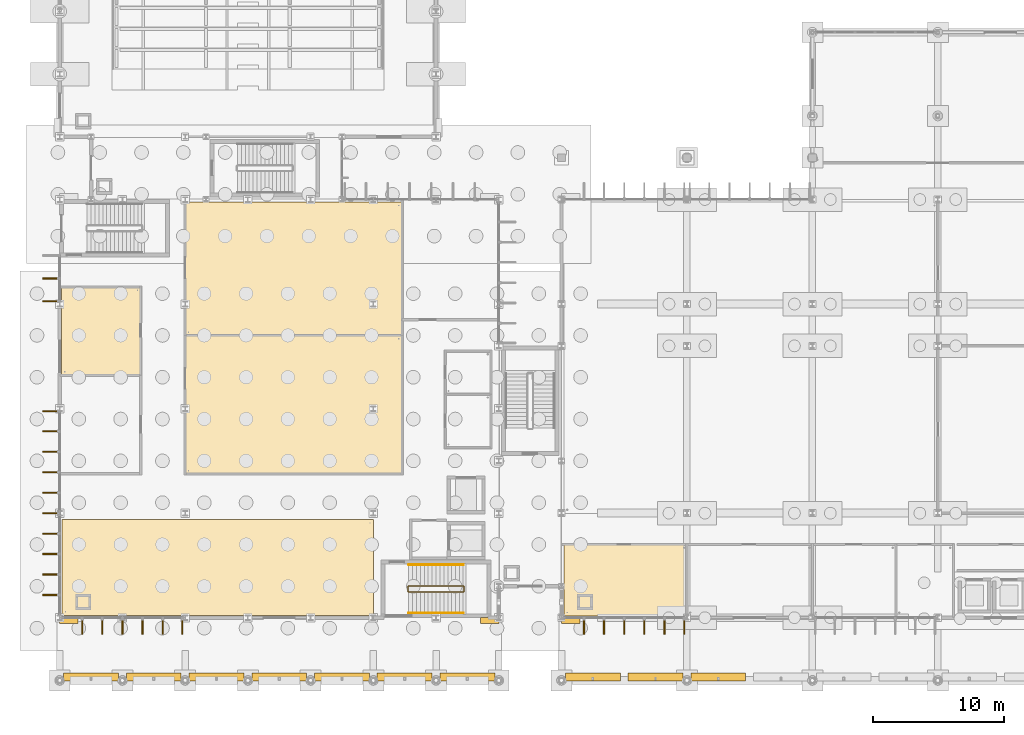
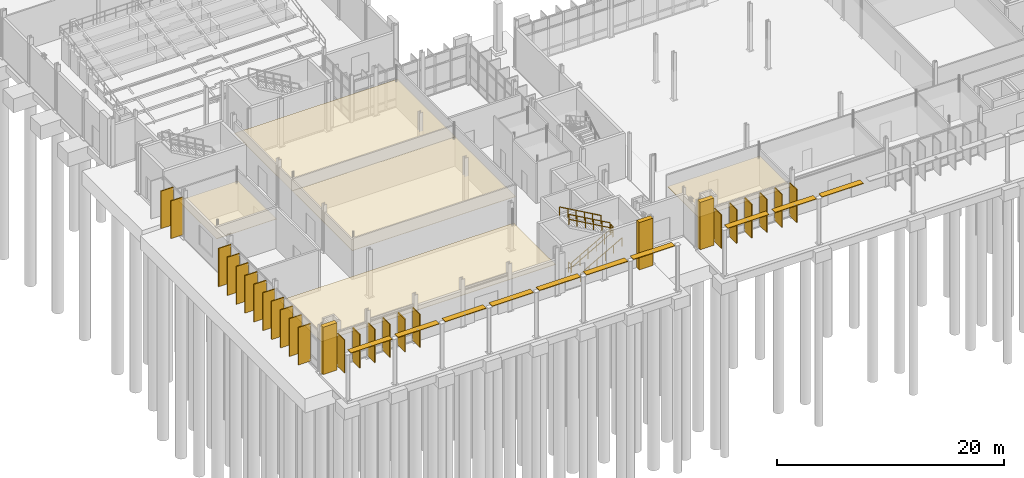
# One storey, part 102 of 111: 32 coverings, 10 shading devices, 6 railings.
"""IFC4 building model written with IfcOpenShell, lengths in metres."""

import ifcopenshell
import ifcopenshell.guid

model = None  # the IFC model being written
_history = None  # IfcOwnerHistory: only IFC2X3 demands one
_inside = {}  # id of a spatial element -> (the spatial element, [elements in it])
_under = {}  # id of a project, library or spatial element -> (it, [spatial elements below it])
_declared = {}  # id of a project -> (the project, [libraries it declares])
_typed = {}  # id of a type object -> (the type object, [elements of that type])
_made_of = {}  # id of a material, layer set ... -> (it, [elements and type objects made of it])


def new_model(schema):
    """Start an empty IFC model of exactly this schema.

    Asked for "IFC4X3", IfcOpenShell would pick the latest addendum, in which some entities
    have other attributes; the version numbers below select the first issue.
    IFC2X3 requires an IfcOwnerHistory on every rooted entity: one is made here for all.
    """
    global model, _history
    if schema == "IFC4X3":
        model = ifcopenshell.file(schema_version=(4, 3, 0, 0))
    else:
        model = ifcopenshell.file(schema=schema)
    _inside.clear()
    _under.clear()
    _declared.clear()
    _typed.clear()
    _made_of.clear()
    _history = None
    if model.schema == "IFC2X3":
        org = make("IfcOrganization", Name="unknown")
        user = make(
            "IfcPersonAndOrganization",
            ThePerson=make("IfcPerson", FamilyName="unknown"),
            TheOrganization=org,
        )
        app = make(
            "IfcApplication",
            ApplicationDeveloper=org,
            Version="unknown",
            ApplicationFullName="unknown",
            ApplicationIdentifier="unknown",
        )
        _history = make(
            "IfcOwnerHistory",
            OwningUser=user,
            OwningApplication=app,
            ChangeAction="ADDED",
            CreationDate=0,
        )
    return model


def make(cls, **values):
    """One entity of the class cls with the attributes given. An attribute that is None is left unset."""
    return model.create_entity(
        cls, **{name: value for name, value in values.items() if value is not None}
    )


def rooted(cls, **values):
    """An entity with a GlobalId (a new one), such as an element, a storey or a relation."""
    return make(cls, GlobalId=ifcopenshell.guid.new(), OwnerHistory=_history, **values)


def si_unit(unit_type, name, prefix=None):
    """IfcSIUnit, for example si_unit("LENGTHUNIT", "METRE", prefix="MILLI")."""
    return make("IfcSIUnit", UnitType=unit_type, Prefix=prefix, Name=name)


def assignment(units):
    """IfcUnitAssignment: the units of a project."""
    return None if units is None else make("IfcUnitAssignment", Units=units)


def point(xyz):
    """IfcCartesianPoint."""
    return None if xyz is None else make("IfcCartesianPoint", Coordinates=xyz)


def direction(xyz):
    """IfcDirection."""
    return None if xyz is None else make("IfcDirection", DirectionRatios=xyz)


def frame(location, z_axis=None, x_axis=None):
    """IfcAxis2Placement3D, a coordinate frame: its origin and axes. An axis left out is left unset."""
    return make(
        "IfcAxis2Placement3D",
        Location=point(location),
        Axis=direction(z_axis),
        RefDirection=direction(x_axis),
    )


def frame_2d(location, x_axis=None):
    """IfcAxis2Placement2D, a coordinate frame in the plane: its origin and x axis."""
    return make(
        "IfcAxis2Placement2D", Location=point(location), RefDirection=direction(x_axis)
    )


def origin():
    """The frame at (0, 0, 0) with its axes left unset."""
    return frame((0.0, 0.0, 0.0))


def origin_2d():
    """The frame at (0, 0) in the plane with its x axis left unset."""
    return frame_2d((0.0, 0.0))


def place(relative_to, where):
    """IfcLocalPlacement: puts the frame where relative to a parent placement (None: the world)."""
    return make(
        "IfcLocalPlacement", PlacementRelTo=relative_to, RelativePlacement=where
    )


def context(
    kind, dimensions, precision=None, world=None, true_north=None, identifier=None
):
    """IfcGeometricRepresentationContext, for example the 3D "Model" context."""
    return make(
        "IfcGeometricRepresentationContext",
        ContextIdentifier=identifier,
        ContextType=kind,
        CoordinateSpaceDimension=dimensions,
        Precision=precision,
        WorldCoordinateSystem=world,
        TrueNorth=true_north,
    )


def subcontext(parent, identifier, kind, view, scale=None):
    """IfcGeometricRepresentationSubContext, for example "Body" below "Model"."""
    return make(
        "IfcGeometricRepresentationSubContext",
        ContextIdentifier=identifier,
        ContextType=kind,
        ParentContext=parent,
        TargetScale=scale,
        TargetView=view,
    )


def project(units=None, contexts=None):
    """IfcProject with its units and contexts."""
    return rooted(
        "IfcProject",
        Name="project",
        RepresentationContexts=contexts,
        UnitsInContext=assignment(units),
    )


def spatial(cls, under=None, at=None, **own):
    """A site, building, storey or space (cls), placed at a placement, below another one or the project."""
    s = rooted(cls, ObjectPlacement=at, **own)
    if under is not None:
        _under.setdefault(under.id(), (under, []))[1].append(s)
    return s


def polyline(points):
    """IfcPolyline through the points."""
    return make("IfcPolyline", Points=[point(p) for p in points])


def profile(cls, at=None, kind="AREA", **sizes):
    """A parametric profile (cls). Its sizes go by their IFC names, for example OverallWidth=200.0."""
    return make(cls, ProfileType=kind, Position=at, **sizes)


def rectangle(**sizes):
    """IfcRectangleProfileDef."""
    return profile("IfcRectangleProfileDef", **sizes)


def circle(**sizes):
    """IfcCircleProfileDef."""
    return profile("IfcCircleProfileDef", **sizes)


def outline(outer, holes=None, kind="AREA"):
    """IfcArbitraryClosedProfileDef: a profile drawn as a closed curve; with holes, ...WithVoids."""
    if holes is None:
        return make("IfcArbitraryClosedProfileDef", ProfileType=kind, OuterCurve=outer)
    return make(
        "IfcArbitraryProfileDefWithVoids",
        ProfileType=kind,
        OuterCurve=outer,
        InnerCurves=holes,
    )


def extrude(swept, where, along, depth):
    """IfcExtrudedAreaSolid: the profile swept, set in the frame where, extruded along a direction by depth."""
    return make(
        "IfcExtrudedAreaSolid",
        SweptArea=swept,
        Position=where,
        ExtrudedDirection=direction(along),
        Depth=depth,
    )


def shape(context_of_items, identifier, shape_type, items):
    """IfcShapeRepresentation: the items that make up one representation, for example the "Body"."""
    return make(
        "IfcShapeRepresentation",
        ContextOfItems=context_of_items,
        RepresentationIdentifier=identifier,
        RepresentationType=shape_type,
        Items=items,
    )


def material(Name=None, Category=None):
    """IfcMaterial."""
    return make("IfcMaterial", Name=Name, Category=Category)


def layer(
    of_material, thickness, ventilated=None, Name=None, Category=None, Priority=None
):
    """IfcMaterialLayer: one layer of a wall or slab, of a material (None: an air gap)."""
    return make(
        "IfcMaterialLayer",
        Material=of_material,
        LayerThickness=thickness,
        IsVentilated=ventilated,
        Name=Name,
        Category=Category,
        Priority=Priority,
    )


def layer_set(layers, Name=None):
    """IfcMaterialLayerSet."""
    return make("IfcMaterialLayerSet", MaterialLayers=layers, LayerSetName=Name)


def made_of(thing, what):
    """Note that an element or type object is made of a material, layer set ...; save() writes the relation."""
    if what is not None:
        _made_of.setdefault(what.id(), (what, []))[1].append(thing)
    return thing


def type_object(cls, material=None, **own):
    """A type object (cls), such as IfcWallType, which elements share."""
    return made_of(rooted(cls, **own), material)


def element(
    cls,
    number,
    at=None,
    inside=None,
    cuts=None,
    type_object=None,
    material=None,
    context=None,
    identifier="Body",
    shape_type=None,
    held_by="IfcProductDefinitionShape",
    body=None,
    shapes=None,
    **own,
):
    """One element of the class cls, such as IfcWall. Its Tag is "e" and its number.

    at: its placement. inside: the storey or other place that contains it. cuts: it is an
    opening in that element (IfcRelVoidsElement). A single representation is given by context,
    identifier, shape_type and body (its items); several are given by shapes. held_by: the class
    of the entity that holds the representations. save() writes the other relations.
    """
    e = rooted(cls, Tag="e%d" % number, ObjectPlacement=at, **own)
    if body is not None:
        shapes = [shape(context, identifier, shape_type, body)]
    if shapes is not None:
        e.Representation = make(held_by, Representations=shapes)
    if inside is not None:
        _inside.setdefault(inside.id(), (inside, []))[1].append(e)
    if cuts is not None:
        rooted(
            "IfcRelVoidsElement", RelatingBuildingElement=cuts, RelatedOpeningElement=e
        )
    if type_object is not None:
        _typed.setdefault(type_object.id(), (type_object, []))[1].append(e)
    return made_of(e, material)


def aggregate(whole, parts):
    """IfcRelAggregates: a whole, such as a stair, and the parts it consists of."""
    return rooted("IfcRelAggregates", RelatingObject=whole, RelatedObjects=parts)


def save(model, path):
    """Write the relations noted so far, then the file.

    IfcRelAggregates (storeys below a building ...), IfcRelContainedInSpatialStructure (elements
    in a storey), IfcRelDefinesByType, IfcRelAssociatesMaterial and IfcRelDeclares: one each for
    every whole, place, type object, material and project.
    """
    for whole, parts in _under.values():
        aggregate(whole, parts)
    for where, things in _inside.values():
        rooted(
            "IfcRelContainedInSpatialStructure",
            RelatedElements=things,
            RelatingStructure=where,
        )
    for kind, things in _typed.values():
        rooted("IfcRelDefinesByType", RelatedObjects=things, RelatingType=kind)
    for what, things in _made_of.values():
        rooted("IfcRelAssociatesMaterial", RelatedObjects=things, RelatingMaterial=what)
    for by, libraries in _declared.values():
        rooted("IfcRelDeclares", RelatingContext=by, RelatedDefinitions=libraries)
    model.write(path)


model = new_model("IFC4")

# Units and contexts
model_context = context("Model", 3, precision=1e-05, world=origin(), true_north=direction((0.0, 1.0)))
body_context = subcontext(model_context, "Body", "Model", "MODEL_VIEW")
ifc_project = project(units=[si_unit("LENGTHUNIT", "METRE"), si_unit("AREAUNIT", "SQUARE_METRE"), si_unit("VOLUMEUNIT", "CUBIC_METRE"), si_unit("PLANEANGLEUNIT", "RADIAN"), si_unit("MASSUNIT", "GRAM", prefix="KILO")], contexts=[model_context])

# Site, building, storey
site_placement = place(None, origin())
site = spatial("IfcSite", under=ifc_project, at=site_placement, CompositionType="ELEMENT")
building_placement = place(site_placement, origin())
building = spatial("IfcBuilding", under=site, at=building_placement, Name="Dunescarp Central Library", CompositionType="ELEMENT")
storey_placement = place(building_placement, origin())
storey = spatial("IfcBuildingStorey", under=building, at=storey_placement, Name="L00", CompositionType="ELEMENT", Elevation=0.0)

# Coverings
ifc_material_1 = material(Name="Perforated birch acoustic timber baffle", Category="wood")
ifc_layer_1 = layer(ifc_material_1, 0.050048828125)
ifc_layer_set_1 = layer_set([ifc_layer_1], Name="Perforated birch acoustic timber baffle")
covering_type_1 = type_object("IfcCoveringType", Name="ARC-COV-BAFFLE", PredefinedType="CEILING", material=ifc_layer_set_1)
covering_1_placement = place(storey_placement, frame((0.0, 0.0, 3.050048828125)))
element("IfcCovering", 1, at=covering_1_placement, inside=storey, type_object=covering_type_1, Name="L00 ceiling Ground Self-Check & Lending Reading Hall", PredefinedType="CEILING", context=body_context, shape_type="SweptSolid", body=[
    extrude(outline(polyline([(0.179931640625, 4.97998046875), (24.02001953125, 4.97998046875), (24.02001953125, 12.320068359375), (0.179931640625, 12.320068359375), (0.179931640625, 4.97998046875)])), origin(), (0.0, 0.0, 1.0), 0.050048828125),
])
ifc_material_2 = material(Name="Mineral-fibre acoustic ceiling tile")
ifc_layer_2 = layer(ifc_material_2, 0.0400390625)
ifc_layer_set_2 = layer_set([ifc_layer_2], Name="Mineral-fibre acoustic ceiling tile")
covering_type_2 = type_object("IfcCoveringType", Name="ARC-COV-CEIL40", PredefinedType="CEILING", material=ifc_layer_set_2)
covering_2_placement = place(storey_placement, frame((0.0, 0.0, 3.050048828125)))
element("IfcCovering", 2, at=covering_2_placement, inside=storey, type_object=covering_type_2, Name="L00 ceiling New-Arrivals Periodicals Salon", PredefinedType="CEILING", context=body_context, shape_type="SweptSolid", body=[
    extrude(outline(polyline([(0.1201171875, 23.340087890625), (6.219970703125, 23.340087890625), (6.219970703125, 30.1201171875), (0.1201171875, 30.1201171875), (0.1201171875, 23.340087890625)])), origin(), (0.0, 0.0, 1.0), 0.0400390625),
])
covering_3_placement = place(storey_placement, frame((0.0, 0.0, 3.050048828125)))
element("IfcCovering", 3, at=covering_3_placement, inside=storey, type_object=covering_type_2, Name="L00 ceiling Readers' Registration & Orientation Desk", PredefinedType="CEILING", context=body_context, shape_type="SweptSolid", body=[
    extrude(outline(polyline([(9.580078125, 15.780029296875), (26.219970703125, 15.780029296875), (26.219970703125, 26.419921875), (9.580078125, 26.419921875), (9.580078125, 15.780029296875)])), origin(), (0.0, 0.0, 1.0), 0.0400390625),
])
covering_4_placement = place(storey_placement, frame((0.0, 0.0, 3.050048828125)))
element("IfcCovering", 4, at=covering_4_placement, inside=storey, type_object=covering_type_2, Name="L00 ceiling Municipal Civic Exhibition Gallery", PredefinedType="CEILING", context=body_context, shape_type="SweptSolid", body=[
    extrude(outline(polyline([(9.580078125, 26.3798828125), (26.219970703125, 26.3798828125), (26.219970703125, 36.6201171875), (9.580078125, 36.6201171875), (9.580078125, 26.3798828125)])), origin(), (0.0, 0.0, 1.0), 0.0400390625),
])
covering_5_placement = place(storey_placement, frame((0.0, 0.0, 3.050048828125)))
element("IfcCovering", 5, at=covering_5_placement, inside=storey, type_object=covering_type_2, Name="L00 ceiling L00 Group Study Room A", PredefinedType="CEILING", context=body_context, shape_type="SweptSolid", body=[
    extrude(outline(polyline([(38.580078125, 4.919921875), (48.02001953125, 4.919921875), (48.02001953125, 10.419921875), (38.580078125, 10.419921875), (38.580078125, 4.919921875)])), origin(), (0.0, 0.0, 1.0), 0.0400390625),
])
ifc_material_3 = material(Name="Glass-fibre reinforced concrete GRC", Category="concrete")
ifc_layer_3 = layer(ifc_material_3, 0.090087890625)
ifc_layer_set_3 = layer_set([ifc_layer_3], Name="Glass-fibre reinforced concrete GRC")
covering_type_3 = type_object("IfcCoveringType", Name="ARC-COV-FIN1250", PredefinedType="CLADDING", material=ifc_layer_set_3)
covering_6_placement = place(storey_placement, frame((9.385009765625, 4.137939453125, 0.1669921875), z_axis=(0.0, 0.0, 1.0), x_axis=(0.0, -1.0, 0.0)))
element("IfcCovering", 6, at=covering_6_placement, inside=storey, type_object=covering_type_3, Name="L00 parametric vertical facade fin FIN-L00-0001", PredefinedType="CLADDING", context=body_context, shape_type="SweptSolid", body=[
    extrude(rectangle(XDim=1.25, YDim=0.090087890625, at=origin_2d()), origin(), (0.0, 0.0, 1.0), 3.55810546875),
])
covering_7_placement = place(storey_placement, frame((7.883056640625, 4.137939453125, 0.180419921875), z_axis=(0.0, 0.0, 1.0), x_axis=(0.0, -1.0, 0.0)))
element("IfcCovering", 7, at=covering_7_placement, inside=storey, type_object=covering_type_3, Name="L00 parametric vertical facade fin FIN-L00-0002", PredefinedType="CLADDING", context=body_context, shape_type="SweptSolid", body=[
    extrude(rectangle(XDim=1.25, YDim=0.090087890625, at=origin_2d()), origin(), (0.0, 0.0, 1.0), 3.544921875),
])
covering_8_placement = place(storey_placement, frame((6.342041015625, 4.137939453125, 0.16455078125), z_axis=(0.0, 0.0, 1.0), x_axis=(0.0, -1.0, 0.0)))
element("IfcCovering", 8, at=covering_8_placement, inside=storey, type_object=covering_type_3, Name="L00 parametric vertical facade fin FIN-L00-0003", PredefinedType="CLADDING", context=body_context, shape_type="SweptSolid", body=[
    extrude(rectangle(XDim=1.25, YDim=0.090087890625, at=origin_2d()), origin(), (0.0, 0.0, 1.0), 3.56103515625),
])
covering_9_placement = place(storey_placement, frame((4.800048828125, 4.137939453125, 0.123046875), z_axis=(0.0, 0.0, 1.0), x_axis=(0.0, -1.0, 0.0)))
element("IfcCovering", 9, at=covering_9_placement, inside=storey, type_object=covering_type_3, Name="L00 parametric vertical facade fin FIN-L00-0004", PredefinedType="CLADDING", context=body_context, shape_type="SweptSolid", body=[
    extrude(rectangle(XDim=1.25, YDim=0.090087890625, at=origin_2d()), origin(), (0.0, 0.0, 1.0), 3.60205078125),
])
covering_10_placement = place(storey_placement, frame((3.258056640625, 4.137939453125, 0.080078125), z_axis=(0.0, 0.0, 1.0), x_axis=(0.0, -1.0, 0.0)))
element("IfcCovering", 10, at=covering_10_placement, inside=storey, type_object=covering_type_3, Name="L00 parametric vertical facade fin FIN-L00-0005", PredefinedType="CLADDING", context=body_context, shape_type="SweptSolid", body=[
    extrude(rectangle(XDim=1.25, YDim=0.090087890625, at=origin_2d()), origin(), (0.0, 0.0, 1.0), 3.634033203125),
])
covering_11_placement = place(storey_placement, frame((1.717041015625, 4.137939453125, 0.080078125), z_axis=(0.0, 0.0, 1.0), x_axis=(0.0, -1.0, 0.0)))
element("IfcCovering", 11, at=covering_11_placement, inside=storey, type_object=covering_type_3, Name="L00 parametric vertical facade fin FIN-L00-0006", PredefinedType="CLADDING", context=body_context, shape_type="SweptSolid", body=[
    extrude(rectangle(XDim=1.25, YDim=0.090087890625, at=origin_2d()), origin(), (0.0, 0.0, 1.0), 3.583984375),
])
covering_12_placement = place(storey_placement, frame((-0.662109375, 6.5400390625, 0.179443359375), z_axis=(0.0, 0.0, 1.0), x_axis=(-1.0, 0.0, 0.0)))
element("IfcCovering", 12, at=covering_12_placement, inside=storey, type_object=covering_type_3, Name="L00 parametric vertical facade fin FIN-L00-0014", PredefinedType="CLADDING", context=body_context, shape_type="SweptSolid", body=[
    extrude(rectangle(XDim=1.25, YDim=0.090087890625, at=origin_2d()), origin(), (0.0, 0.0, 1.0), 4.044921875),
])
covering_13_placement = place(storey_placement, frame((-0.662109375, 8.10498046875, 0.16357421875), z_axis=(0.0, 0.0, 1.0), x_axis=(-1.0, 0.0, 0.0)))
element("IfcCovering", 13, at=covering_13_placement, inside=storey, type_object=covering_type_3, Name="L00 parametric vertical facade fin FIN-L00-0015", PredefinedType="CLADDING", context=body_context, shape_type="SweptSolid", body=[
    extrude(rectangle(XDim=1.25, YDim=0.090087890625, at=origin_2d()), origin(), (0.0, 0.0, 1.0), 4.06103515625),
])
covering_14_placement = place(storey_placement, frame((-0.662109375, 9.669921875, 0.123046875), z_axis=(0.0, 0.0, 1.0), x_axis=(-1.0, 0.0, 0.0)))
element("IfcCovering", 14, at=covering_14_placement, inside=storey, type_object=covering_type_3, Name="L00 parametric vertical facade fin FIN-L00-0016", PredefinedType="CLADDING", context=body_context, shape_type="SweptSolid", body=[
    extrude(rectangle(XDim=1.25, YDim=0.090087890625, at=origin_2d()), origin(), (0.0, 0.0, 1.0), 4.10205078125),
])
covering_15_placement = place(storey_placement, frame((-0.662109375, 11.235107421875, 0.080078125), z_axis=(0.0, 0.0, 1.0), x_axis=(-1.0, 0.0, 0.0)))
element("IfcCovering", 15, at=covering_15_placement, inside=storey, type_object=covering_type_3, Name="L00 parametric vertical facade fin FIN-L00-0017", PredefinedType="CLADDING", context=body_context, shape_type="SweptSolid", body=[
    extrude(rectangle(XDim=1.25, YDim=0.090087890625, at=origin_2d()), origin(), (0.0, 0.0, 1.0), 4.134033203125),
])
covering_16_placement = place(storey_placement, frame((-0.662109375, 12.800048828125, 0.080078125), z_axis=(0.0, 0.0, 1.0), x_axis=(-1.0, 0.0, 0.0)))
element("IfcCovering", 16, at=covering_16_placement, inside=storey, type_object=covering_type_3, Name="L00 parametric vertical facade fin FIN-L00-0018", PredefinedType="CLADDING", context=body_context, shape_type="SweptSolid", body=[
    extrude(rectangle(XDim=1.25, YDim=0.090087890625, at=origin_2d()), origin(), (0.0, 0.0, 1.0), 4.083984375),
])
covering_17_placement = place(storey_placement, frame((-0.662109375, 14.364990234375, 0.08056640625), z_axis=(0.0, 0.0, 1.0), x_axis=(-1.0, 0.0, 0.0)))
element("IfcCovering", 17, at=covering_17_placement, inside=storey, type_object=covering_type_3, Name="L00 parametric vertical facade fin FIN-L00-0019", PredefinedType="CLADDING", context=body_context, shape_type="SweptSolid", body=[
    extrude(rectangle(XDim=1.25, YDim=0.090087890625, at=origin_2d()), origin(), (0.0, 0.0, 1.0), 4.051025390625),
])
covering_18_placement = place(storey_placement, frame((-0.662109375, 15.929931640625, 0.07958984375), z_axis=(0.0, 0.0, 1.0), x_axis=(-1.0, 0.0, 0.0)))
element("IfcCovering", 18, at=covering_18_placement, inside=storey, type_object=covering_type_3, Name="L00 parametric vertical facade fin FIN-L00-0020", PredefinedType="CLADDING", context=body_context, shape_type="SweptSolid", body=[
    extrude(rectangle(XDim=1.25, YDim=0.090087890625, at=origin_2d()), origin(), (0.0, 0.0, 1.0), 4.047119140625),
])
covering_19_placement = place(storey_placement, frame((-0.662109375, 17.4951171875, 0.07958984375), z_axis=(0.0, 0.0, 1.0), x_axis=(-1.0, 0.0, 0.0)))
element("IfcCovering", 19, at=covering_19_placement, inside=storey, type_object=covering_type_3, Name="L00 parametric vertical facade fin FIN-L00-0021", PredefinedType="CLADDING", context=body_context, shape_type="SweptSolid", body=[
    extrude(rectangle(XDim=1.25, YDim=0.090087890625, at=origin_2d()), origin(), (0.0, 0.0, 1.0), 4.071044921875),
])
covering_20_placement = place(storey_placement, frame((-0.662109375, 19.06005859375, 0.08056640625), z_axis=(0.0, 0.0, 1.0), x_axis=(-1.0, 0.0, 0.0)))
element("IfcCovering", 20, at=covering_20_placement, inside=storey, type_object=covering_type_3, Name="L00 parametric vertical facade fin FIN-L00-0022", PredefinedType="CLADDING", context=body_context, shape_type="SweptSolid", body=[
    extrude(rectangle(XDim=1.25, YDim=0.090087890625, at=origin_2d()), origin(), (0.0, 0.0, 1.0), 4.116943359375),
])
covering_21_placement = place(storey_placement, frame((-0.662109375, 20.5849609375, 0.10546875), z_axis=(0.0, 0.0, 1.0), x_axis=(-1.0, 0.0, 0.0)))
element("IfcCovering", 21, at=covering_21_placement, inside=storey, type_object=covering_type_3, Name="L00 parametric vertical facade fin FIN-L00-0023", PredefinedType="CLADDING", context=body_context, shape_type="SweptSolid", body=[
    extrude(rectangle(XDim=1.25, YDim=0.090087890625, at=origin_2d()), origin(), (0.0, 0.0, 1.0), 4.118896484375),
])
covering_22_placement = place(storey_placement, frame((-0.662109375, 29.014892578125, 0.1669921875), z_axis=(0.0, 0.0, 1.0), x_axis=(-1.0, 0.0, 0.0)))
element("IfcCovering", 22, at=covering_22_placement, inside=storey, type_object=covering_type_3, Name="L00 parametric vertical facade fin FIN-L00-0024", PredefinedType="CLADDING", context=body_context, shape_type="SweptSolid", body=[
    extrude(rectangle(XDim=1.25, YDim=0.090087890625, at=origin_2d()), origin(), (0.0, 0.0, 1.0), 4.05810546875),
])
covering_23_placement = place(storey_placement, frame((-0.662109375, 30.761962890625, 0.179443359375), z_axis=(0.0, 0.0, 1.0), x_axis=(-1.0, 0.0, 0.0)))
element("IfcCovering", 23, at=covering_23_placement, inside=storey, type_object=covering_type_3, Name="L00 parametric vertical facade fin FIN-L00-0025", PredefinedType="CLADDING", context=body_context, shape_type="SweptSolid", body=[
    extrude(rectangle(XDim=1.25, YDim=0.090087890625, at=origin_2d()), origin(), (0.0, 0.0, 1.0), 4.044921875),
])
covering_24_placement = place(storey_placement, frame((47.784912109375, 4.137939453125, 0.1669921875), z_axis=(0.0, 0.0, 1.0), x_axis=(0.0, -1.0, 0.0)))
element("IfcCovering", 24, at=covering_24_placement, inside=storey, type_object=covering_type_3, Name="L00 parametric vertical facade fin FIN-L00-0312", PredefinedType="CLADDING", context=body_context, shape_type="SweptSolid", body=[
    extrude(rectangle(XDim=1.25, YDim=0.090087890625, at=origin_2d()), origin(), (0.0, 0.0, 1.0), 3.55810546875),
])
covering_25_placement = place(storey_placement, frame((46.282958984375, 4.137939453125, 0.180419921875), z_axis=(0.0, 0.0, 1.0), x_axis=(0.0, -1.0, 0.0)))
element("IfcCovering", 25, at=covering_25_placement, inside=storey, type_object=covering_type_3, Name="L00 parametric vertical facade fin FIN-L00-0313", PredefinedType="CLADDING", context=body_context, shape_type="SweptSolid", body=[
    extrude(rectangle(XDim=1.25, YDim=0.090087890625, at=origin_2d()), origin(), (0.0, 0.0, 1.0), 3.544921875),
])
covering_26_placement = place(storey_placement, frame((44.741943359375, 4.137939453125, 0.16455078125), z_axis=(0.0, 0.0, 1.0), x_axis=(0.0, -1.0, 0.0)))
element("IfcCovering", 26, at=covering_26_placement, inside=storey, type_object=covering_type_3, Name="L00 parametric vertical facade fin FIN-L00-0314", PredefinedType="CLADDING", context=body_context, shape_type="SweptSolid", body=[
    extrude(rectangle(XDim=1.25, YDim=0.090087890625, at=origin_2d()), origin(), (0.0, 0.0, 1.0), 3.56103515625),
])
covering_27_placement = place(storey_placement, frame((43.199951171875, 4.137939453125, 0.123046875), z_axis=(0.0, 0.0, 1.0), x_axis=(0.0, -1.0, 0.0)))
element("IfcCovering", 27, at=covering_27_placement, inside=storey, type_object=covering_type_3, Name="L00 parametric vertical facade fin FIN-L00-0315", PredefinedType="CLADDING", context=body_context, shape_type="SweptSolid", body=[
    extrude(rectangle(XDim=1.25, YDim=0.090087890625, at=origin_2d()), origin(), (0.0, 0.0, 1.0), 3.60205078125),
])
covering_28_placement = place(storey_placement, frame((41.657958984375, 4.137939453125, 0.080078125), z_axis=(0.0, 0.0, 1.0), x_axis=(0.0, -1.0, 0.0)))
element("IfcCovering", 28, at=covering_28_placement, inside=storey, type_object=covering_type_3, Name="L00 parametric vertical facade fin FIN-L00-0316", PredefinedType="CLADDING", context=body_context, shape_type="SweptSolid", body=[
    extrude(rectangle(XDim=1.25, YDim=0.090087890625, at=origin_2d()), origin(), (0.0, 0.0, 1.0), 3.634033203125),
])
covering_29_placement = place(storey_placement, frame((40.116943359375, 4.137939453125, 0.080078125), z_axis=(0.0, 0.0, 1.0), x_axis=(0.0, -1.0, 0.0)))
element("IfcCovering", 29, at=covering_29_placement, inside=storey, type_object=covering_type_3, Name="L00 parametric vertical facade fin FIN-L00-0317", PredefinedType="CLADDING", context=body_context, shape_type="SweptSolid", body=[
    extrude(rectangle(XDim=1.25, YDim=0.090087890625, at=origin_2d()), origin(), (0.0, 0.0, 1.0), 3.583984375),
])
ifc_layer_4 = layer(ifc_material_3, 0.449951171875)
ifc_layer_set_4 = layer_set([ifc_layer_4], Name="Glass-fibre reinforced concrete GRC")
covering_type_4 = type_object("IfcCoveringType", Name="ARC-COV-PORTAL", PredefinedType="CLADDING", material=ifc_layer_set_4)
for number, where, z_axis, x_axis, name in (
    (30, (39.10009765625, 4.580078125, 0.0), (0.0, 0.0, 1.0), (1.0, 0.0, 0.0), "V2 sculpted GRC portal pier PRT-BAND-V2-001"),
    (31, (0.699951171875, 4.580078125, 0.0), (0.0, 0.0, 1.0), (1.0, 0.0, 0.0), "V1 sculpted GRC portal pier PRT-BAND-V1-081"),
    (32, (32.89990234375, 4.580078125, 0.0), (0.0, 0.0, 1.0), (1.0, 0.0, 0.0), "V1 sculpted GRC portal pier PRT-BAND-V1-083"),
):
    element("IfcCovering", number, at=place(storey_placement, frame(where, z_axis=z_axis, x_axis=x_axis)), inside=storey, type_object=covering_type_4, Name=name, PredefinedType="CLADDING", context=body_context, shape_type="SweptSolid", body=[
        extrude(rectangle(XDim=1.39990234375, YDim=0.449951171875, at=origin_2d()), origin(), (0.0, 0.0, 1.0), 5.10009765625),
    ])

# Railings
ifc_material_4 = material(Name="Stainless steel Grade 316L", Category="steel")
railing_type_1 = type_object("IfcRailingType", Name="ARC-RL-GUARD", PredefinedType="GUARDRAIL", material=ifc_material_4)
railing_1_placement = place(storey_placement, frame((26.699951171875, 6.77001953125, 0.169921875)))
element("IfcRailing", 33, at=railing_1_placement, inside=storey, type_object=railing_type_1, Name="L00 ST-1 stair guard 1", PredefinedType="GUARDRAIL", context=body_context, shape_type="SweptSolid", body=[
    extrude(circle(Radius=0.02392578125, at=origin_2d()), frame((0.0, 0.0, 1.076171875), z_axis=(0.870008446991, 0.0, 0.493036816236), x_axis=(0.0, 1.0, 0.0)), (0.0, 0.0, 1.0), 4.827392578125),
    extrude(circle(Radius=0.02392578125, at=origin_2d()), frame((0.0, 0.0, 0.550048828125), z_axis=(0.870008446991, 0.0, 0.493036816236), x_axis=(0.0, 1.0, 0.0)), (0.0, 0.0, 1.0), 4.827392578125),
    extrude(circle(Radius=0.02099609375, at=origin_2d()), origin(), (0.0, 0.0, 1.0), 1.052001953125),
    extrude(circle(Radius=0.02099609375, at=origin_2d()), frame((0.840087890625, 0.0, 0.47607421875)), (0.0, 0.0, 1.0), 1.052001953125),
    extrude(circle(Radius=0.02099609375, at=origin_2d()), frame((1.679931640625, 0.0, 0.9521484375)), (0.0, 0.0, 1.0), 1.052001953125),
    extrude(circle(Radius=0.02099609375, at=origin_2d()), frame((2.52001953125, 0.0, 1.427978515625)), (0.0, 0.0, 1.0), 1.052001953125),
    extrude(circle(Radius=0.02099609375, at=origin_2d()), frame((3.35986328125, 0.0, 1.904052734375)), (0.0, 0.0, 1.0), 1.052001953125),
    extrude(circle(Radius=0.02099609375, at=origin_2d()), frame((4.199951171875, 0.0, 2.380126953125)), (0.0, 0.0, 1.0), 1.052001953125),
])
railing_2_placement = place(storey_placement, frame((30.949951171875, 6.820068359375, 2.550048828125)))
element("IfcRailing", 34, at=railing_2_placement, inside=storey, type_object=railing_type_1, Name="L00 ST-1 stair guard 2", PredefinedType="GUARDRAIL", context=body_context, shape_type="SweptSolid", body=[
    extrude(circle(Radius=0.02392578125, at=origin_2d()), frame((0.0, 0.0, 1.076171875), z_axis=(0.0, 1.0, 0.0), x_axis=(-1.0, 0.0, 0.0)), (0.0, 0.0, 1.0), 0.35986328125),
    extrude(circle(Radius=0.02392578125, at=origin_2d()), frame((0.0, 0.0, 0.550048828125), z_axis=(0.0, 1.0, 0.0), x_axis=(-1.0, 0.0, 0.0)), (0.0, 0.0, 1.0), 0.35986328125),
    extrude(circle(Radius=0.02099609375, at=origin_2d()), origin(), (0.0, 0.0, 1.0), 1.052001953125),
    extrude(circle(Radius=0.02099609375, at=origin_2d()), frame((0.0, 0.35986328125, 0.0)), (0.0, 0.0, 1.0), 1.052001953125),
])
railing_3_placement = place(storey_placement, frame((30.89990234375, 7.22998046875, 2.719970703125)))
element("IfcRailing", 35, at=railing_3_placement, inside=storey, type_object=railing_type_1, Name="L00 ST-1 stair guard 3", PredefinedType="GUARDRAIL", context=body_context, shape_type="SweptSolid", body=[
    extrude(circle(Radius=0.02392578125, at=origin_2d()), frame((0.0, 0.0, 1.076171875), z_axis=(-0.870008446991, 0.0, 0.493036816236), x_axis=(0.0, -1.0, 0.0)), (0.0, 0.0, 1.0), 4.827392578125),
    extrude(circle(Radius=0.02392578125, at=origin_2d()), frame((0.0, 0.0, 0.550048828125), z_axis=(-0.870008446991, 0.0, 0.493036816236), x_axis=(0.0, -1.0, 0.0)), (0.0, 0.0, 1.0), 4.827392578125),
    extrude(circle(Radius=0.02099609375, at=origin_2d()), origin(), (0.0, 0.0, 1.0), 1.052001953125),
    extrude(circle(Radius=0.02099609375, at=origin_2d()), frame((-0.840087890625, 0.0, 0.47607421875)), (0.0, 0.0, 1.0), 1.052001953125),
    extrude(circle(Radius=0.02099609375, at=origin_2d()), frame((-1.679931640625, 0.0, 0.9521484375)), (0.0, 0.0, 1.0), 1.052001953125),
    extrude(circle(Radius=0.02099609375, at=origin_2d()), frame((-2.52001953125, 0.0, 1.427978515625)), (0.0, 0.0, 1.0), 1.052001953125),
    extrude(circle(Radius=0.02099609375, at=origin_2d()), frame((-3.35986328125, 0.0, 1.904052734375)), (0.0, 0.0, 1.0), 1.052001953125),
    extrude(circle(Radius=0.02099609375, at=origin_2d()), frame((-4.199951171875, 0.0, 2.380126953125)), (0.0, 0.0, 1.0), 1.052001953125),
])
railing_4_placement = place(storey_placement, frame((26.64990234375, 6.820068359375, 0.0)))
element("IfcRailing", 36, at=railing_4_placement, inside=storey, type_object=railing_type_1, Name="L00 ST-1 stair guard 4", PredefinedType="GUARDRAIL", context=body_context, shape_type="SweptSolid", body=[
    extrude(circle(Radius=0.02392578125, at=origin_2d()), frame((0.0, 0.0, 1.076171875), z_axis=(0.0, 1.0, 0.0), x_axis=(-1.0, 0.0, 0.0)), (0.0, 0.0, 1.0), 0.35986328125),
    extrude(circle(Radius=0.02392578125, at=origin_2d()), frame((0.0, 0.0, 0.550048828125), z_axis=(0.0, 1.0, 0.0), x_axis=(-1.0, 0.0, 0.0)), (0.0, 0.0, 1.0), 0.35986328125),
    extrude(circle(Radius=0.02099609375, at=origin_2d()), origin(), (0.0, 0.0, 1.0), 1.052001953125),
    extrude(circle(Radius=0.02099609375, at=origin_2d()), frame((0.0, 0.35986328125, 0.0)), (0.0, 0.0, 1.0), 1.052001953125),
])
railing_type_2 = type_object("IfcRailingType", Name="ARC-RL-HAND", PredefinedType="HANDRAIL", material=ifc_material_4)
railing_5_placement = place(storey_placement, frame((26.699951171875, 5.14990234375, 0.169921875)))
element("IfcRailing", 37, at=railing_5_placement, inside=storey, type_object=railing_type_2, Name="L00 ST-1 stair handrail 1", PredefinedType="HANDRAIL", context=body_context, shape_type="SweptSolid", body=[
    extrude(circle(Radius=0.02392578125, at=origin_2d()), frame((0.0, 0.0, 0.8857421875), z_axis=(0.870008446991, 0.0, 0.493036816236), x_axis=(0.0, 1.0, 0.0)), (0.0, 0.0, 1.0), 4.827392578125),
    extrude(circle(Radius=0.02099609375, at=origin_2d()), origin(), (0.0, 0.0, 1.0), 0.86181640625),
    extrude(circle(Radius=0.02099609375, at=origin_2d()), frame((0.840087890625, 0.0, 0.47607421875)), (0.0, 0.0, 1.0), 0.86181640625),
    extrude(circle(Radius=0.02099609375, at=origin_2d()), frame((1.679931640625, 0.0, 0.9521484375)), (0.0, 0.0, 1.0), 0.86181640625),
    extrude(circle(Radius=0.02099609375, at=origin_2d()), frame((2.52001953125, 0.0, 1.427978515625)), (0.0, 0.0, 1.0), 0.86181640625),
    extrude(circle(Radius=0.02099609375, at=origin_2d()), frame((3.35986328125, 0.0, 1.904052734375)), (0.0, 0.0, 1.0), 0.86181640625),
    extrude(circle(Radius=0.02099609375, at=origin_2d()), frame((4.199951171875, 0.0, 2.380126953125)), (0.0, 0.0, 1.0), 0.86181640625),
])
railing_6_placement = place(storey_placement, frame((30.89990234375, 8.85009765625, 2.719970703125)))
element("IfcRailing", 38, at=railing_6_placement, inside=storey, type_object=railing_type_2, Name="L00 ST-1 stair handrail 2", PredefinedType="HANDRAIL", context=body_context, shape_type="SweptSolid", body=[
    extrude(circle(Radius=0.02392578125, at=origin_2d()), frame((0.0, 0.0, 0.8857421875), z_axis=(-0.870008446991, 0.0, 0.493036816236), x_axis=(0.0, -1.0, 0.0)), (0.0, 0.0, 1.0), 4.827392578125),
    extrude(circle(Radius=0.02099609375, at=origin_2d()), origin(), (0.0, 0.0, 1.0), 0.86181640625),
    extrude(circle(Radius=0.02099609375, at=origin_2d()), frame((-0.840087890625, 0.0, 0.47607421875)), (0.0, 0.0, 1.0), 0.86181640625),
    extrude(circle(Radius=0.02099609375, at=origin_2d()), frame((-1.679931640625, 0.0, 0.9521484375)), (0.0, 0.0, 1.0), 0.86181640625),
    extrude(circle(Radius=0.02099609375, at=origin_2d()), frame((-2.52001953125, 0.0, 1.427978515625)), (0.0, 0.0, 1.0), 0.86181640625),
    extrude(circle(Radius=0.02099609375, at=origin_2d()), frame((-3.35986328125, 0.0, 1.904052734375)), (0.0, 0.0, 1.0), 0.86181640625),
    extrude(circle(Radius=0.02099609375, at=origin_2d()), frame((-4.199951171875, 0.0, 2.380126953125)), (0.0, 0.0, 1.0), 0.86181640625),
])

# Shading devices
ifc_material_5 = material(Name="Marine-grade anodised aluminium 6063-T6", Category="aluminium")
ifc_layer_5 = layer(ifc_material_5, 0.06005859375)
ifc_layer_set_5 = layer_set([ifc_layer_5], Name="Marine-grade anodised aluminium 6063-T6")
shading_device_type = type_object("IfcShadingDeviceType", Name="ARC-SHD-LVR", PredefinedType="SHUTTER", material=ifc_layer_set_5)
for number, where, z_axis, x_axis, name in (
    (39, (2.39990234375, 0.25, 4.85986328125), (0.0, 0.0, 1.0), (1.0, 0.0, 0.0), "Colonnade sunshade louvre LVR-COL-001"),
    (40, (7.199951171875, 0.25, 4.85986328125), (0.0, 0.0, 1.0), (1.0, 0.0, 0.0), "Colonnade sunshade louvre LVR-COL-002"),
    (41, (12.0, 0.25, 4.85986328125), (0.0, 0.0, 1.0), (1.0, 0.0, 0.0), "Colonnade sunshade louvre LVR-COL-003"),
    (42, (16.800048828125, 0.25, 4.85986328125), (0.0, 0.0, 1.0), (1.0, 0.0, 0.0), "Colonnade sunshade louvre LVR-COL-004"),
    (43, (21.60009765625, 0.25, 4.85986328125), (0.0, 0.0, 1.0), (1.0, 0.0, 0.0), "Colonnade sunshade louvre LVR-COL-005"),
    (44, (26.39990234375, 0.25, 4.85986328125), (0.0, 0.0, 1.0), (1.0, 0.0, 0.0), "Colonnade sunshade louvre LVR-COL-006"),
    (45, (31.199951171875, 0.25, 4.85986328125), (0.0, 0.0, 1.0), (1.0, 0.0, 0.0), "Colonnade sunshade louvre LVR-COL-007"),
    (46, (40.800048828125, 0.25, 4.85986328125), (0.0, 0.0, 1.0), (1.0, 0.0, 0.0), "Colonnade sunshade louvre LVR-COL-008"),
    (47, (45.60009765625, 0.25, 4.85986328125), (0.0, 0.0, 1.0), (1.0, 0.0, 0.0), "Colonnade sunshade louvre LVR-COL-009"),
    (48, (50.39990234375, 0.25, 4.85986328125), (0.0, 0.0, 1.0), (1.0, 0.0, 0.0), "Colonnade sunshade louvre LVR-COL-010"),
):
    element("IfcShadingDevice", number, at=place(storey_placement, frame(where, z_axis=z_axis, x_axis=x_axis)), inside=storey, type_object=shading_device_type, Name=name, PredefinedType="SHUTTER", context=body_context, shape_type="SweptSolid", body=[
        extrude(rectangle(XDim=4.199951171875, YDim=0.60009765625, at=origin_2d()), origin(), (0.0, 0.0, 1.0), 0.06005859375),
    ])

save(model, "model.ifc")
